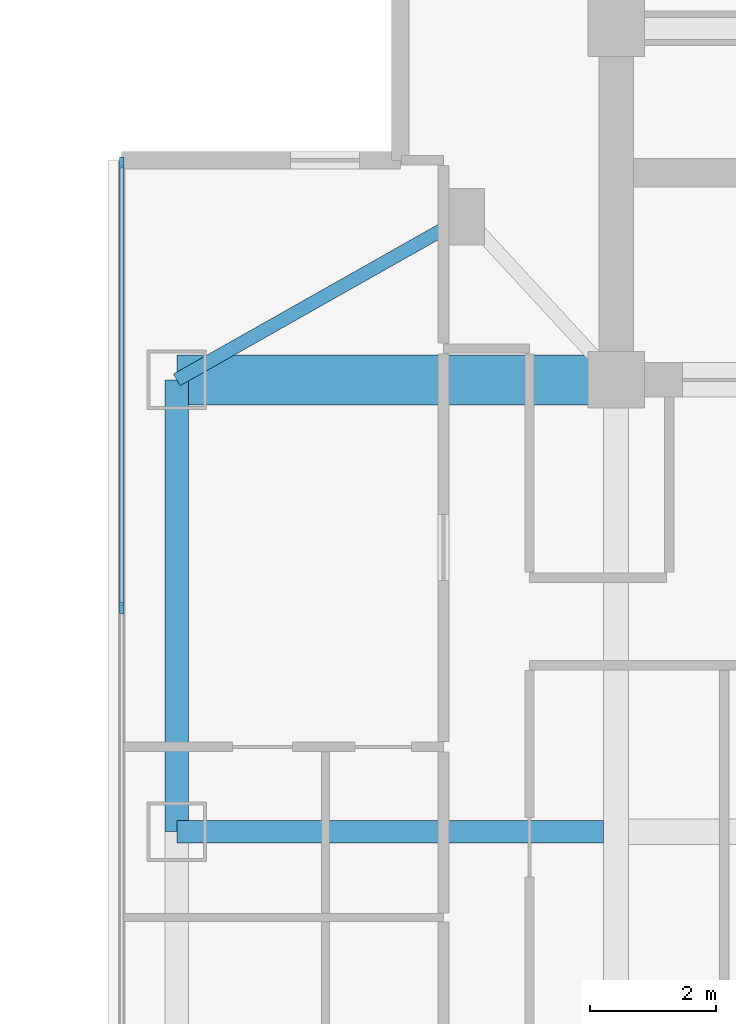
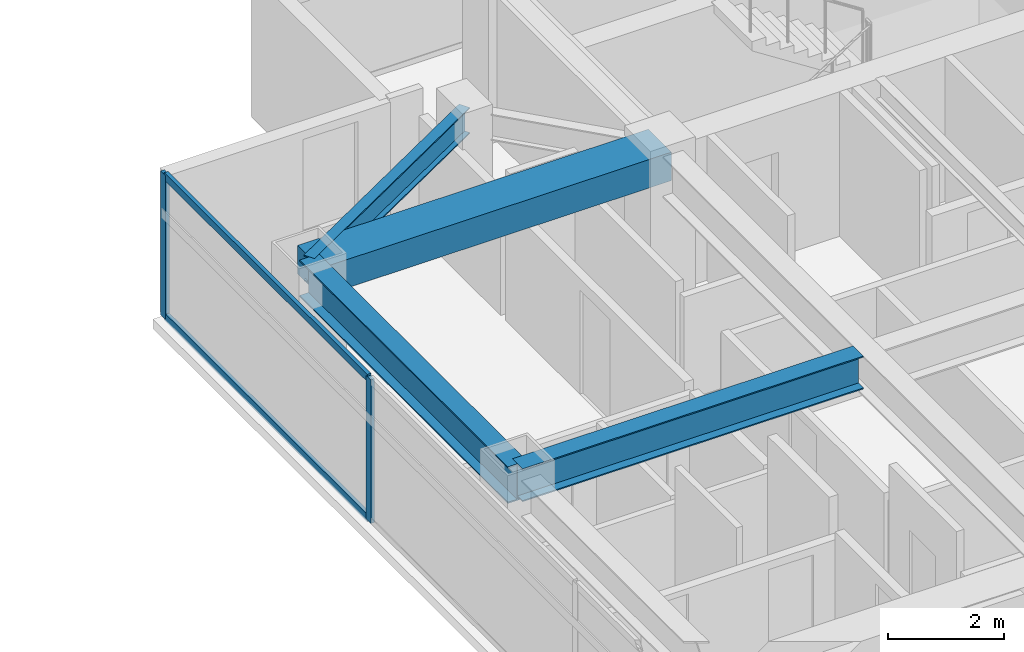
# One storey, part 7 of 23: 4 beams, 4 members, 1 element without a shape of its own.
"""IFC4 building model written with IfcOpenShell, lengths in metres."""

from ifc_helpers import new_model, si_unit, direction, frame, origin, origin_2d, place, context, subcontext, project, spatial, rectangle, i_section, extrude, material, material_profile, profile_set, type_object, element, aggregate, save


model = new_model("IFC4")

# Units and contexts
model_context = context("Model", 3, precision=1e-05, world=origin(), true_north=direction((0.0, 1.0)))
body_context = subcontext(model_context, "Body", "Model", "MODEL_VIEW")
ifc_project = project(units=[si_unit("LENGTHUNIT", "METRE"), si_unit("AREAUNIT", "SQUARE_METRE"), si_unit("VOLUMEUNIT", "CUBIC_METRE"), si_unit("PLANEANGLEUNIT", "RADIAN"), si_unit("MASSUNIT", "GRAM", prefix="KILO")], contexts=[model_context])

# Site, building, storey
site_placement = place(None, origin())
site = spatial("IfcSite", under=ifc_project, at=site_placement, CompositionType="ELEMENT")
building_placement = place(site_placement, origin())
building = spatial("IfcBuilding", under=site, at=building_placement, Name="Mirazonda Arch Towers", CompositionType="ELEMENT")
storey_placement = place(building_placement, frame((0.0, 0.0, 183.64990234375)))
storey = spatial("IfcBuildingStorey", under=building, at=storey_placement, Name="L52", CompositionType="ELEMENT", Elevation=183.64990234375)

# Beams
ifc_material_1 = material(Name="Steel ASTM A992 Grade 50", Category="steel")
ifc_material_profile_1 = material_profile(ifc_material_1, i_section(OverallWidth=0.381103515625, OverallDepth=0.77294921875, WebThickness=0.0166015625, FlangeThickness=0.027099609375, at=origin_2d()), Name="W30X173")
ifc_profile_set_1 = profile_set([ifc_material_profile_1], Name="Steel ASTM A992 Grade 50")
beam_type_1 = type_object("IfcBeamType", Name="BM-EXT-W30X173", PredefinedType="USERDEFINED", material=ifc_profile_set_1)
beam_1_placement = place(storey_placement, frame((61.0, 28.0, 2.66357421875), z_axis=(0.0, 1.0, 0.0), x_axis=(-1.0, 0.0, 0.0)))
element("IfcBeam", 1, at=beam_1_placement, inside=storey, type_object=beam_type_1, Name="L52 Floor Beam BM-T2-L52-NS-W-28", ObjectType="GIRDER", PredefinedType="USERDEFINED", context=body_context, shape_type="SweptSolid", body=[
    extrude(i_section(OverallWidth=0.381103515625, OverallDepth=0.77294921875, WebThickness=0.0166015625, FlangeThickness=0.027099609375, at=origin_2d()), origin(), (0.0, 0.0, 1.0), 7.199951171875),
])
ifc_material_profile_2 = material_profile(ifc_material_1, i_section(OverallWidth=0.214111328125, OverallDepth=0.549072265625, WebThickness=0.0146484375, FlangeThickness=0.023681640625, at=origin_2d()), Name="W21X93")
ifc_profile_set_2 = profile_set([ifc_material_profile_2], Name="Steel ASTM A992 Grade 50")
beam_type_2 = type_object("IfcBeamType", Name="BM-INT-W21X93", PredefinedType="BEAM", material=ifc_profile_set_2)
beam_2_placement = place(storey_placement, frame((65.60009765625, 37.800048828125, 2.775634765625), z_axis=(-0.870559396632, -0.492063346467, 0.0), x_axis=(0.492063346467, -0.870559396632, 0.0)))
element("IfcBeam", 2, at=beam_2_placement, inside=storey, type_object=beam_type_2, Name="L52 Floor Beam BM-T2-L52-PL-NW2", PredefinedType="BEAM", context=body_context, shape_type="SweptSolid", body=[
    extrude(i_section(OverallWidth=0.214111328125, OverallDepth=0.549072265625, WebThickness=0.0146484375, FlangeThickness=0.023681640625, at=origin_2d()), origin(), (0.0, 0.0, 1.0), 5.2841796875),
])
ifc_material_profile_3 = material_profile(ifc_material_1, i_section(OverallWidth=0.35498046875, OverallDepth=0.696044921875, WebThickness=0.015380859375, FlangeThickness=0.02490234375, at=origin_2d()), Name="W27X146")
ifc_profile_set_3 = profile_set([ifc_material_profile_3], Name="Steel ASTM A992 Grade 50")
beam_type_3 = type_object("IfcBeamType", Name="BM-INT-W27X146", PredefinedType="BEAM", material=ifc_profile_set_3)
beam_3_placement = place(storey_placement, frame((61.0, 28.0, 2.7021484375), z_axis=(1.0, 0.0, 0.0), x_axis=(0.0, 1.0, 0.0)))
element("IfcBeam", 3, at=beam_3_placement, inside=storey, type_object=beam_type_3, Name="L52 Floor Beam BM-T2-L52-GW2", PredefinedType="BEAM", context=body_context, shape_type="SweptSolid", body=[
    extrude(i_section(OverallWidth=0.35498046875, OverallDepth=0.696044921875, WebThickness=0.015380859375, FlangeThickness=0.02490234375, at=origin_2d()), origin(), (0.0, 0.0, 1.0), 6.800048828125),
])
ifc_material_2 = material(Name="Concrete C60/75", Category="concrete")
ifc_material_profile_4 = material_profile(ifc_material_2, rectangle(XDim=0.800048828125, YDim=0.60009765625, at=origin_2d()), Name="RCCB800x600")
ifc_profile_set_4 = profile_set([ifc_material_profile_4], Name="Concrete C60/75")
beam_type_4 = type_object("IfcBeamType", Name="CB-INT-RCCB800x600", PredefinedType="SPANDREL", material=ifc_profile_set_4)
beam_4_placement = place(storey_placement, frame((61.0, 35.199951171875, 2.75), z_axis=(1.0, 0.0, 0.0), x_axis=(0.0, 1.0, 0.0)))
element("IfcBeam", 4, at=beam_4_placement, inside=storey, type_object=beam_type_4, Name="L52 Floor Beam CBC-T2-L52-NW", PredefinedType="SPANDREL", context=body_context, shape_type="SweptSolid", body=[
    extrude(rectangle(XDim=0.800048828125, YDim=0.60009765625, at=origin_2d()), origin(), (0.0, 0.0, 1.0), 7.0),
])

# Curtain wall, members
ifc_material_3 = material(Name="Anodised Aluminium and Low-E Glass", Category="aluminium")
curtain_wall_type = type_object("IfcCurtainWallType", Name="CW-RES-UNIT", PredefinedType="NOTDEFINED", material=ifc_material_3)
curtain_wall_placement = place(storey_placement, origin())
curtain_wall = element("IfcCurtainWall", 5, at=curtain_wall_placement, inside=storey, type_object=curtain_wall_type, Name="L52 T2 W Facade CW-L52-T2-W", PredefinedType="NOTDEFINED")
ifc_material_4 = material(Name="Anodised Aluminium Alloy", Category="aluminium")
ifc_material_profile_5 = material_profile(ifc_material_4, rectangle(XDim=0.074951171875, YDim=0.175048828125, at=origin_2d()), Name="ALU-MULL-75x175")
ifc_profile_set_5 = profile_set([ifc_material_profile_5], Name="Anodised Aluminium Alloy")
member_type_1 = type_object("IfcMemberType", Name="MULL-CW-RES-UNIT", PredefinedType="MULLION", material=ifc_profile_set_5)
member_1_placement = place(storey_placement, frame((60.12255859375, 38.661376953125, 0.0), z_axis=(0.0, 0.0, 1.0), x_axis=(1.0, 0.0, 0.0)))
member_1 = element("IfcMember", 6, at=member_1_placement, type_object=member_type_1, Name="CW-104 mullion 1", PredefinedType="MULLION", context=body_context, shape_type="SweptSolid", body=[
    extrude(rectangle(XDim=0.074951171875, YDim=0.175048828125, at=origin_2d()), origin(), (0.0, 0.0, 1.0), 3.030029296875),
])
member_2_placement = place(storey_placement, frame((60.12255859375, 31.566162109375, 0.0), z_axis=(0.0, 0.0, 1.0), x_axis=(1.0, 0.0, 0.0)))
member_2 = element("IfcMember", 7, at=member_2_placement, type_object=member_type_1, Name="CW-104 mullion 2", PredefinedType="MULLION", context=body_context, shape_type="SweptSolid", body=[
    extrude(rectangle(XDim=0.074951171875, YDim=0.175048828125, at=origin_2d()), origin(), (0.0, 0.0, 1.0), 3.030029296875),
])
ifc_material_profile_6 = material_profile(ifc_material_4, rectangle(XDim=0.074951171875, YDim=0.155029296875, at=origin_2d()), Name="ALU-TRAN-75x155")
ifc_profile_set_6 = profile_set([ifc_material_profile_6], Name="Anodised Aluminium Alloy")
member_type_2 = type_object("IfcMemberType", Name="TRAN-CW-RES-UNIT", PredefinedType="USERDEFINED", material=ifc_profile_set_6)
member_3_placement = place(storey_placement, frame((60.12255859375, 38.623779296875, 0.03759765625), z_axis=(0.0, -1.0, 0.0), x_axis=(1.0, 0.0, 0.0)))
member_3 = element("IfcMember", 8, at=member_3_placement, type_object=member_type_2, Name="CW-104 transom 1.1", ObjectType="TRANSOM", PredefinedType="USERDEFINED", context=body_context, shape_type="SweptSolid", body=[
    extrude(rectangle(XDim=0.074951171875, YDim=0.155029296875, at=origin_2d()), origin(), (0.0, 0.0, 1.0), 7.02001953125),
])
member_4_placement = place(storey_placement, frame((60.12255859375, 38.623779296875, 2.99267578125), z_axis=(0.0, -1.0, 0.0), x_axis=(1.0, 0.0, 0.0)))
member_4 = element("IfcMember", 9, at=member_4_placement, type_object=member_type_2, Name="CW-104 transom 1.2", ObjectType="TRANSOM", PredefinedType="USERDEFINED", context=body_context, shape_type="SweptSolid", body=[
    extrude(rectangle(XDim=0.074951171875, YDim=0.155029296875, at=origin_2d()), origin(), (0.0, 0.0, 1.0), 7.02001953125),
])
aggregate(curtain_wall, [member_1, member_2, member_3, member_4])

save(model, "model.ifc")
